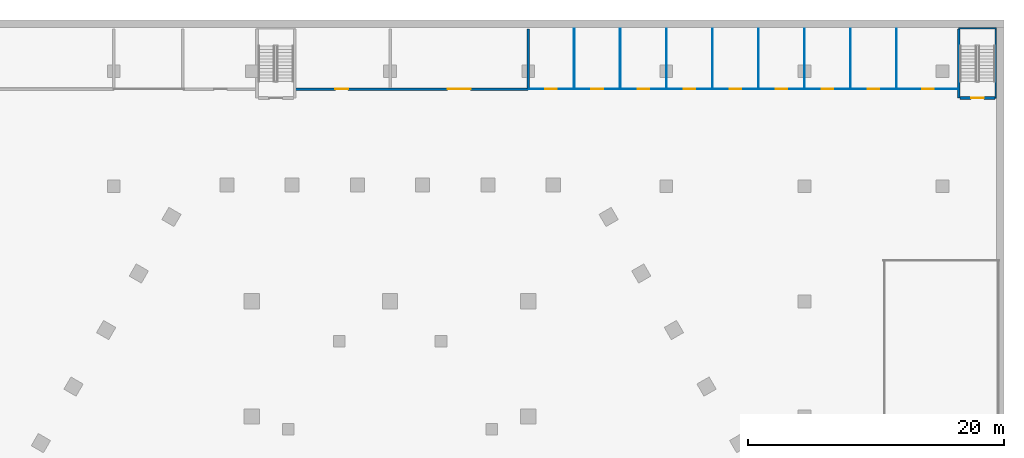
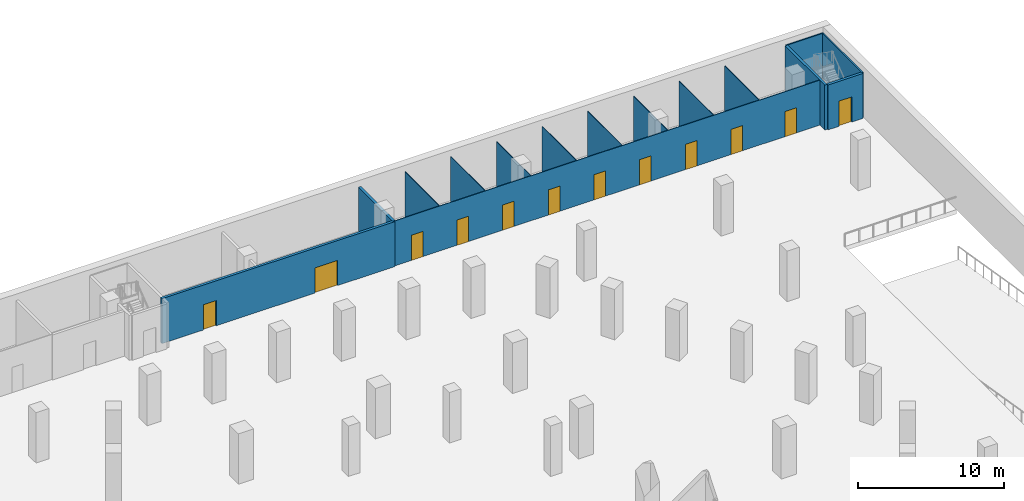
# One storey, part 10 of 20: 15 walls, 12 doors, 12 openings.
"""IFC4 building model written with IfcOpenShell, lengths in metres."""

import ifcopenshell
import ifcopenshell.guid

model = None  # the IFC model being written
_history = None  # IfcOwnerHistory: only IFC2X3 demands one
_inside = {}  # id of a spatial element -> (the spatial element, [elements in it])
_under = {}  # id of a project, library or spatial element -> (it, [spatial elements below it])
_declared = {}  # id of a project -> (the project, [libraries it declares])
_typed = {}  # id of a type object -> (the type object, [elements of that type])
_made_of = {}  # id of a material, layer set ... -> (it, [elements and type objects made of it])


def new_model(schema):
    """Start an empty IFC model of exactly this schema.

    Asked for "IFC4X3", IfcOpenShell would pick the latest addendum, in which some entities
    have other attributes; the version numbers below select the first issue.
    IFC2X3 requires an IfcOwnerHistory on every rooted entity: one is made here for all.
    """
    global model, _history
    if schema == "IFC4X3":
        model = ifcopenshell.file(schema_version=(4, 3, 0, 0))
    else:
        model = ifcopenshell.file(schema=schema)
    _inside.clear()
    _under.clear()
    _declared.clear()
    _typed.clear()
    _made_of.clear()
    _history = None
    if model.schema == "IFC2X3":
        org = make("IfcOrganization", Name="unknown")
        user = make(
            "IfcPersonAndOrganization",
            ThePerson=make("IfcPerson", FamilyName="unknown"),
            TheOrganization=org,
        )
        app = make(
            "IfcApplication",
            ApplicationDeveloper=org,
            Version="unknown",
            ApplicationFullName="unknown",
            ApplicationIdentifier="unknown",
        )
        _history = make(
            "IfcOwnerHistory",
            OwningUser=user,
            OwningApplication=app,
            ChangeAction="ADDED",
            CreationDate=0,
        )
    return model


def make(cls, **values):
    """One entity of the class cls with the attributes given. An attribute that is None is left unset."""
    return model.create_entity(
        cls, **{name: value for name, value in values.items() if value is not None}
    )


def rooted(cls, **values):
    """An entity with a GlobalId (a new one), such as an element, a storey or a relation."""
    return make(cls, GlobalId=ifcopenshell.guid.new(), OwnerHistory=_history, **values)


def si_unit(unit_type, name, prefix=None):
    """IfcSIUnit, for example si_unit("LENGTHUNIT", "METRE", prefix="MILLI")."""
    return make("IfcSIUnit", UnitType=unit_type, Prefix=prefix, Name=name)


def assignment(units):
    """IfcUnitAssignment: the units of a project."""
    return None if units is None else make("IfcUnitAssignment", Units=units)


def point(xyz):
    """IfcCartesianPoint."""
    return None if xyz is None else make("IfcCartesianPoint", Coordinates=xyz)


def direction(xyz):
    """IfcDirection."""
    return None if xyz is None else make("IfcDirection", DirectionRatios=xyz)


def frame(location, z_axis=None, x_axis=None):
    """IfcAxis2Placement3D, a coordinate frame: its origin and axes. An axis left out is left unset."""
    return make(
        "IfcAxis2Placement3D",
        Location=point(location),
        Axis=direction(z_axis),
        RefDirection=direction(x_axis),
    )


def frame_2d(location, x_axis=None):
    """IfcAxis2Placement2D, a coordinate frame in the plane: its origin and x axis."""
    return make(
        "IfcAxis2Placement2D", Location=point(location), RefDirection=direction(x_axis)
    )


def origin():
    """The frame at (0, 0, 0) with its axes left unset."""
    return frame((0.0, 0.0, 0.0))


def place(relative_to, where):
    """IfcLocalPlacement: puts the frame where relative to a parent placement (None: the world)."""
    return make(
        "IfcLocalPlacement", PlacementRelTo=relative_to, RelativePlacement=where
    )


def context(
    kind, dimensions, precision=None, world=None, true_north=None, identifier=None
):
    """IfcGeometricRepresentationContext, for example the 3D "Model" context."""
    return make(
        "IfcGeometricRepresentationContext",
        ContextIdentifier=identifier,
        ContextType=kind,
        CoordinateSpaceDimension=dimensions,
        Precision=precision,
        WorldCoordinateSystem=world,
        TrueNorth=true_north,
    )


def subcontext(parent, identifier, kind, view, scale=None):
    """IfcGeometricRepresentationSubContext, for example "Body" below "Model"."""
    return make(
        "IfcGeometricRepresentationSubContext",
        ContextIdentifier=identifier,
        ContextType=kind,
        ParentContext=parent,
        TargetScale=scale,
        TargetView=view,
    )


def project(units=None, contexts=None):
    """IfcProject with its units and contexts."""
    return rooted(
        "IfcProject",
        Name="project",
        RepresentationContexts=contexts,
        UnitsInContext=assignment(units),
    )


def spatial(cls, under=None, at=None, **own):
    """A site, building, storey or space (cls), placed at a placement, below another one or the project."""
    s = rooted(cls, ObjectPlacement=at, **own)
    if under is not None:
        _under.setdefault(under.id(), (under, []))[1].append(s)
    return s


def profile(cls, at=None, kind="AREA", **sizes):
    """A parametric profile (cls). Its sizes go by their IFC names, for example OverallWidth=200.0."""
    return make(cls, ProfileType=kind, Position=at, **sizes)


def rectangle(**sizes):
    """IfcRectangleProfileDef."""
    return profile("IfcRectangleProfileDef", **sizes)


def extrude(swept, where, along, depth):
    """IfcExtrudedAreaSolid: the profile swept, set in the frame where, extruded along a direction by depth."""
    return make(
        "IfcExtrudedAreaSolid",
        SweptArea=swept,
        Position=where,
        ExtrudedDirection=direction(along),
        Depth=depth,
    )


def shape(context_of_items, identifier, shape_type, items):
    """IfcShapeRepresentation: the items that make up one representation, for example the "Body"."""
    return make(
        "IfcShapeRepresentation",
        ContextOfItems=context_of_items,
        RepresentationIdentifier=identifier,
        RepresentationType=shape_type,
        Items=items,
    )


def material(Name=None, Category=None):
    """IfcMaterial."""
    return make("IfcMaterial", Name=Name, Category=Category)


def layer(
    of_material, thickness, ventilated=None, Name=None, Category=None, Priority=None
):
    """IfcMaterialLayer: one layer of a wall or slab, of a material (None: an air gap)."""
    return make(
        "IfcMaterialLayer",
        Material=of_material,
        LayerThickness=thickness,
        IsVentilated=ventilated,
        Name=Name,
        Category=Category,
        Priority=Priority,
    )


def layer_set(layers, Name=None):
    """IfcMaterialLayerSet."""
    return make("IfcMaterialLayerSet", MaterialLayers=layers, LayerSetName=Name)


def made_of(thing, what):
    """Note that an element or type object is made of a material, layer set ...; save() writes the relation."""
    if what is not None:
        _made_of.setdefault(what.id(), (what, []))[1].append(thing)
    return thing


def type_object(cls, material=None, **own):
    """A type object (cls), such as IfcWallType, which elements share."""
    return made_of(rooted(cls, **own), material)


def element(
    cls,
    number,
    at=None,
    inside=None,
    cuts=None,
    type_object=None,
    material=None,
    context=None,
    identifier="Body",
    shape_type=None,
    held_by="IfcProductDefinitionShape",
    body=None,
    shapes=None,
    **own,
):
    """One element of the class cls, such as IfcWall. Its Tag is "e" and its number.

    at: its placement. inside: the storey or other place that contains it. cuts: it is an
    opening in that element (IfcRelVoidsElement). A single representation is given by context,
    identifier, shape_type and body (its items); several are given by shapes. held_by: the class
    of the entity that holds the representations. save() writes the other relations.
    """
    e = rooted(cls, Tag="e%d" % number, ObjectPlacement=at, **own)
    if body is not None:
        shapes = [shape(context, identifier, shape_type, body)]
    if shapes is not None:
        e.Representation = make(held_by, Representations=shapes)
    if inside is not None:
        _inside.setdefault(inside.id(), (inside, []))[1].append(e)
    if cuts is not None:
        rooted(
            "IfcRelVoidsElement", RelatingBuildingElement=cuts, RelatedOpeningElement=e
        )
    if type_object is not None:
        _typed.setdefault(type_object.id(), (type_object, []))[1].append(e)
    return made_of(e, material)


def fill(opening, filler):
    """IfcRelFillsElement: the door or window that sits in an opening."""
    return rooted(
        "IfcRelFillsElement",
        RelatingOpeningElement=opening,
        RelatedBuildingElement=filler,
    )


def aggregate(whole, parts):
    """IfcRelAggregates: a whole, such as a stair, and the parts it consists of."""
    return rooted("IfcRelAggregates", RelatingObject=whole, RelatedObjects=parts)


def save(model, path):
    """Write the relations noted so far, then the file.

    IfcRelAggregates (storeys below a building ...), IfcRelContainedInSpatialStructure (elements
    in a storey), IfcRelDefinesByType, IfcRelAssociatesMaterial and IfcRelDeclares: one each for
    every whole, place, type object, material and project.
    """
    for whole, parts in _under.values():
        aggregate(whole, parts)
    for where, things in _inside.values():
        rooted(
            "IfcRelContainedInSpatialStructure",
            RelatedElements=things,
            RelatingStructure=where,
        )
    for kind, things in _typed.values():
        rooted("IfcRelDefinesByType", RelatedObjects=things, RelatingType=kind)
    for what, things in _made_of.values():
        rooted("IfcRelAssociatesMaterial", RelatedObjects=things, RelatingMaterial=what)
    for by, libraries in _declared.values():
        rooted("IfcRelDeclares", RelatingContext=by, RelatedDefinitions=libraries)
    model.write(path)


model = new_model("IFC4")

# Units and contexts
model_context = context("Model", 3, precision=1e-05, world=origin(), true_north=direction((0.0, 1.0)))
body_context = subcontext(model_context, "Body", "Model", "MODEL_VIEW")
ifc_project = project(units=[si_unit("LENGTHUNIT", "METRE"), si_unit("AREAUNIT", "SQUARE_METRE"), si_unit("VOLUMEUNIT", "CUBIC_METRE"), si_unit("PLANEANGLEUNIT", "RADIAN"), si_unit("MASSUNIT", "GRAM", prefix="KILO")], contexts=[model_context])

# Site, building, storey
site_placement = place(None, origin())
site = spatial("IfcSite", under=ifc_project, at=site_placement, CompositionType="ELEMENT")
building_placement = place(site_placement, origin())
building = spatial("IfcBuilding", under=site, at=building_placement, Name="Beryl Residences", CompositionType="ELEMENT")
storey_placement = place(building_placement, frame((0.0, 0.0, -4.199951171875)))
storey = spatial("IfcBuildingStorey", under=building, at=storey_placement, Name="B1", CompositionType="ELEMENT", Elevation=-4.199951171875)

# Wall, openings, doors
ifc_material_1 = material(Name="Gypsum board partition on steel studs", Category="steel")
ifc_layer_1 = layer(ifc_material_1, 0.050048828125)
ifc_layer_set_1 = layer_set([ifc_layer_1], Name="PT1-50 partition 50 mm")
wall_type_1 = type_object("IfcWallType", Name="PT1-50 partition 50 mm", PredefinedType="PARTITIONING", material=ifc_layer_set_1)
wall_1_placement = place(storey_placement, frame((10.800048828125, 34.60009765625, 0.0), z_axis=(0.0, 0.0, 1.0), x_axis=(1.0, 0.0, 0.0)))
wall_1 = element("IfcWall", 1, at=wall_1_placement, inside=storey, type_object=wall_type_1, Name="Wall PT1-50 B1 002", PredefinedType="PARTITIONING", context=body_context, shape_type="SweptSolid", body=[
    extrude(rectangle(XDim=33.64990234375, YDim=0.050048828125, at=frame_2d((16.824951171875, 0.0))), origin(), (0.0, 0.0, 1.0), 3.75),
])
opening_1_placement = place(wall_1_placement, frame((2.25, 0.0, 0.0), z_axis=(0.0, 0.0, 1.0), x_axis=(-1.0, 0.0, 0.0)))
opening_1 = element("IfcOpeningElement", 2, at=opening_1_placement, cuts=wall_1, Name="Opening B1-13", PredefinedType="OPENING", context=body_context, shape_type="SweptSolid", body=[
    extrude(rectangle(XDim=0.89990234375, YDim=2.10009765625, at=frame_2d((0.449951171875, 1.050048828125))), frame((0.0, 0.034912109375, 0.0), z_axis=(0.0, -1.0, 0.0), x_axis=(1.0, 0.0, 0.0)), (0.0, 0.0, 1.0), 0.070068359375),
])
opening_2_placement = place(wall_1_placement, frame((5.849853515625, 0.0, 0.0), z_axis=(0.0, 0.0, 1.0), x_axis=(-1.0, 0.0, 0.0)))
opening_2 = element("IfcOpeningElement", 3, at=opening_2_placement, cuts=wall_1, Name="Opening B1-14", PredefinedType="OPENING", context=body_context, shape_type="SweptSolid", body=[
    extrude(rectangle(XDim=0.89990234375, YDim=2.10009765625, at=frame_2d((0.449951171875, 1.050048828125))), frame((0.0, 0.034912109375, 0.0), z_axis=(0.0, -1.0, 0.0), x_axis=(1.0, 0.0, 0.0)), (0.0, 0.0, 1.0), 0.070068359375),
])
opening_3_placement = place(wall_1_placement, frame((9.449951171875, 0.0, 0.0), z_axis=(0.0, 0.0, 1.0), x_axis=(-1.0, 0.0, 0.0)))
opening_3 = element("IfcOpeningElement", 4, at=opening_3_placement, cuts=wall_1, Name="Opening B1-15", PredefinedType="OPENING", context=body_context, shape_type="SweptSolid", body=[
    extrude(rectangle(XDim=0.89990234375, YDim=2.10009765625, at=frame_2d((0.449951171875, 1.050048828125))), frame((0.0, 0.034912109375, 0.0), z_axis=(0.0, -1.0, 0.0), x_axis=(1.0, 0.0, 0.0)), (0.0, 0.0, 1.0), 0.070068359375),
])
opening_4_placement = place(wall_1_placement, frame((13.0498046875, 0.0, 0.0), z_axis=(0.0, 0.0, 1.0), x_axis=(-1.0, 0.0, 0.0)))
opening_4 = element("IfcOpeningElement", 5, at=opening_4_placement, cuts=wall_1, Name="Opening B1-16", PredefinedType="OPENING", context=body_context, shape_type="SweptSolid", body=[
    extrude(rectangle(XDim=0.89990234375, YDim=2.10009765625, at=frame_2d((0.449951171875, 1.050048828125))), frame((0.0, 0.034912109375, 0.0), z_axis=(0.0, -1.0, 0.0), x_axis=(1.0, 0.0, 0.0)), (0.0, 0.0, 1.0), 0.070068359375),
])
opening_5_placement = place(wall_1_placement, frame((16.64990234375, 0.0, 0.0), z_axis=(0.0, 0.0, 1.0), x_axis=(-1.0, 0.0, 0.0)))
opening_5 = element("IfcOpeningElement", 6, at=opening_5_placement, cuts=wall_1, Name="Opening B1-17", PredefinedType="OPENING", context=body_context, shape_type="SweptSolid", body=[
    extrude(rectangle(XDim=0.89990234375, YDim=2.10009765625, at=frame_2d((0.449951171875, 1.050048828125))), frame((0.0, 0.034912109375, 0.0), z_axis=(0.0, -1.0, 0.0), x_axis=(1.0, 0.0, 0.0)), (0.0, 0.0, 1.0), 0.070068359375),
])
opening_6_placement = place(wall_1_placement, frame((20.25, 0.0, 0.0), z_axis=(0.0, 0.0, 1.0), x_axis=(-1.0, 0.0, 0.0)))
opening_6 = element("IfcOpeningElement", 7, at=opening_6_placement, cuts=wall_1, Name="Opening B1-18", PredefinedType="OPENING", context=body_context, shape_type="SweptSolid", body=[
    extrude(rectangle(XDim=0.89990234375, YDim=2.10009765625, at=frame_2d((0.449951171875, 1.050048828125))), frame((0.0, 0.034912109375, 0.0), z_axis=(0.0, -1.0, 0.0), x_axis=(1.0, 0.0, 0.0)), (0.0, 0.0, 1.0), 0.070068359375),
])
opening_7_placement = place(wall_1_placement, frame((23.849853515625, 0.0, 0.0), z_axis=(0.0, 0.0, 1.0), x_axis=(-1.0, 0.0, 0.0)))
opening_7 = element("IfcOpeningElement", 8, at=opening_7_placement, cuts=wall_1, Name="Opening B1-19", PredefinedType="OPENING", context=body_context, shape_type="SweptSolid", body=[
    extrude(rectangle(XDim=0.89990234375, YDim=2.10009765625, at=frame_2d((0.449951171875, 1.050048828125))), frame((0.0, 0.034912109375, 0.0), z_axis=(0.0, -1.0, 0.0), x_axis=(1.0, 0.0, 0.0)), (0.0, 0.0, 1.0), 0.070068359375),
])
opening_8_placement = place(wall_1_placement, frame((27.449951171875, 0.0, 0.0), z_axis=(0.0, 0.0, 1.0), x_axis=(-1.0, 0.0, 0.0)))
opening_8 = element("IfcOpeningElement", 9, at=opening_8_placement, cuts=wall_1, Name="Opening B1-20", PredefinedType="OPENING", context=body_context, shape_type="SweptSolid", body=[
    extrude(rectangle(XDim=0.89990234375, YDim=2.10009765625, at=frame_2d((0.449951171875, 1.050048828125))), frame((0.0, 0.034912109375, 0.0), z_axis=(0.0, -1.0, 0.0), x_axis=(1.0, 0.0, 0.0)), (0.0, 0.0, 1.0), 0.070068359375),
])
opening_9_placement = place(wall_1_placement, frame((31.724853515625, 0.0, 0.0), z_axis=(0.0, 0.0, 1.0), x_axis=(-1.0, 0.0, 0.0)))
opening_9 = element("IfcOpeningElement", 10, at=opening_9_placement, cuts=wall_1, Name="Opening B1-21", PredefinedType="OPENING", context=body_context, shape_type="SweptSolid", body=[
    extrude(rectangle(XDim=0.89990234375, YDim=2.10009765625, at=frame_2d((0.449951171875, 1.050048828125))), frame((0.0, 0.034912109375, 0.0), z_axis=(0.0, -1.0, 0.0), x_axis=(1.0, 0.0, 0.0)), (0.0, 0.0, 1.0), 0.070068359375),
])
ifc_material_2 = material(Name="Timber door leaf", Category="wood")
door_type_1 = type_object("IfcDoorType", Name="D2 room door 900 x 2100 mm", OperationType="SINGLE_SWING_LEFT", PredefinedType="DOOR", material=ifc_material_2)
door_1_placement = place(opening_1_placement, origin())
door_1 = element("IfcDoor", 11, at=door_1_placement, inside=storey, type_object=door_type_1, Name="Door B1-13 B1 001", OperationType="SINGLE_SWING_RIGHT", OverallHeight=2.10009765625, OverallWidth=0.89990234375, PredefinedType="DOOR", context=body_context, shape_type="SweptSolid", body=[
    extrude(rectangle(XDim=0.89990234375, YDim=2.10009765625, at=frame_2d((0.449951171875, 1.050048828125))), frame((0.0, 0.02490234375, 0.0), z_axis=(0.0, -1.0, 0.0), x_axis=(1.0, 0.0, 0.0)), (0.0, 0.0, 1.0), 0.049560546875),
])
fill(opening_1, door_1)
door_2_placement = place(opening_2_placement, origin())
door_2 = element("IfcDoor", 12, at=door_2_placement, inside=storey, type_object=door_type_1, Name="Door B1-14 B1 001", OperationType="SINGLE_SWING_LEFT", OverallHeight=2.10009765625, OverallWidth=0.89990234375, PredefinedType="DOOR", context=body_context, shape_type="SweptSolid", body=[
    extrude(rectangle(XDim=0.89990234375, YDim=2.10009765625, at=frame_2d((0.449951171875, 1.050048828125))), frame((0.0, 0.02490234375, 0.0), z_axis=(0.0, -1.0, 0.0), x_axis=(1.0, 0.0, 0.0)), (0.0, 0.0, 1.0), 0.049560546875),
])
fill(opening_2, door_2)
door_3_placement = place(opening_3_placement, origin())
door_3 = element("IfcDoor", 13, at=door_3_placement, inside=storey, type_object=door_type_1, Name="Door B1-15 B1 001", OperationType="SINGLE_SWING_RIGHT", OverallHeight=2.10009765625, OverallWidth=0.89990234375, PredefinedType="DOOR", context=body_context, shape_type="SweptSolid", body=[
    extrude(rectangle(XDim=0.89990234375, YDim=2.10009765625, at=frame_2d((0.449951171875, 1.050048828125))), frame((0.0, 0.02490234375, 0.0), z_axis=(0.0, -1.0, 0.0), x_axis=(1.0, 0.0, 0.0)), (0.0, 0.0, 1.0), 0.049560546875),
])
fill(opening_3, door_3)
door_4_placement = place(opening_4_placement, origin())
door_4 = element("IfcDoor", 14, at=door_4_placement, inside=storey, type_object=door_type_1, Name="Door B1-16 B1 001", OperationType="SINGLE_SWING_LEFT", OverallHeight=2.10009765625, OverallWidth=0.89990234375, PredefinedType="DOOR", context=body_context, shape_type="SweptSolid", body=[
    extrude(rectangle(XDim=0.89990234375, YDim=2.10009765625, at=frame_2d((0.449951171875, 1.050048828125))), frame((0.0, 0.02490234375, 0.0), z_axis=(0.0, -1.0, 0.0), x_axis=(1.0, 0.0, 0.0)), (0.0, 0.0, 1.0), 0.049560546875),
])
fill(opening_4, door_4)
door_5_placement = place(opening_5_placement, origin())
door_5 = element("IfcDoor", 15, at=door_5_placement, inside=storey, type_object=door_type_1, Name="Door B1-17 B1 001", OperationType="SINGLE_SWING_RIGHT", OverallHeight=2.10009765625, OverallWidth=0.89990234375, PredefinedType="DOOR", context=body_context, shape_type="SweptSolid", body=[
    extrude(rectangle(XDim=0.89990234375, YDim=2.10009765625, at=frame_2d((0.449951171875, 1.050048828125))), frame((0.0, 0.02490234375, 0.0), z_axis=(0.0, -1.0, 0.0), x_axis=(1.0, 0.0, 0.0)), (0.0, 0.0, 1.0), 0.049560546875),
])
fill(opening_5, door_5)
door_6_placement = place(opening_6_placement, origin())
door_6 = element("IfcDoor", 16, at=door_6_placement, inside=storey, type_object=door_type_1, Name="Door B1-18 B1 001", OperationType="SINGLE_SWING_LEFT", OverallHeight=2.10009765625, OverallWidth=0.89990234375, PredefinedType="DOOR", context=body_context, shape_type="SweptSolid", body=[
    extrude(rectangle(XDim=0.89990234375, YDim=2.10009765625, at=frame_2d((0.449951171875, 1.050048828125))), frame((0.0, 0.02490234375, 0.0), z_axis=(0.0, -1.0, 0.0), x_axis=(1.0, 0.0, 0.0)), (0.0, 0.0, 1.0), 0.049560546875),
])
fill(opening_6, door_6)
door_7_placement = place(opening_7_placement, origin())
door_7 = element("IfcDoor", 17, at=door_7_placement, inside=storey, type_object=door_type_1, Name="Door B1-19 B1 001", OperationType="SINGLE_SWING_RIGHT", OverallHeight=2.10009765625, OverallWidth=0.89990234375, PredefinedType="DOOR", context=body_context, shape_type="SweptSolid", body=[
    extrude(rectangle(XDim=0.89990234375, YDim=2.10009765625, at=frame_2d((0.449951171875, 1.050048828125))), frame((0.0, 0.02490234375, 0.0), z_axis=(0.0, -1.0, 0.0), x_axis=(1.0, 0.0, 0.0)), (0.0, 0.0, 1.0), 0.049560546875),
])
fill(opening_7, door_7)
door_8_placement = place(opening_8_placement, origin())
door_8 = element("IfcDoor", 18, at=door_8_placement, inside=storey, type_object=door_type_1, Name="Door B1-20 B1 001", OperationType="SINGLE_SWING_LEFT", OverallHeight=2.10009765625, OverallWidth=0.89990234375, PredefinedType="DOOR", context=body_context, shape_type="SweptSolid", body=[
    extrude(rectangle(XDim=0.89990234375, YDim=2.10009765625, at=frame_2d((0.449951171875, 1.050048828125))), frame((0.0, 0.02490234375, 0.0), z_axis=(0.0, -1.0, 0.0), x_axis=(1.0, 0.0, 0.0)), (0.0, 0.0, 1.0), 0.049560546875),
])
fill(opening_8, door_8)
door_9_placement = place(opening_9_placement, origin())
door_9 = element("IfcDoor", 19, at=door_9_placement, inside=storey, type_object=door_type_1, Name="Door B1-21 B1 001", OperationType="SINGLE_SWING_RIGHT", OverallHeight=2.10009765625, OverallWidth=0.89990234375, PredefinedType="DOOR", context=body_context, shape_type="SweptSolid", body=[
    extrude(rectangle(XDim=0.89990234375, YDim=2.10009765625, at=frame_2d((0.449951171875, 1.050048828125))), frame((0.0, 0.02490234375, 0.0), z_axis=(0.0, -1.0, 0.0), x_axis=(1.0, 0.0, 0.0)), (0.0, 0.0, 1.0), 0.049560546875),
])
fill(opening_9, door_9)

# Walls
for number, where, z_axis, x_axis, name in (
    (20, (14.39990234375, 34.625, 0.0), (0.0, 0.0, 1.0), (0.0, 1.0, 0.0), "Wall PT1-50 B1 003"),
    (21, (18.0, 34.625, 0.0), (0.0, 0.0, 1.0), (0.0, 1.0, 0.0), "Wall PT1-50 B1 004"),
    (22, (21.60009765625, 34.625, 0.0), (0.0, 0.0, 1.0), (0.0, 1.0, 0.0), "Wall PT1-50 B1 005"),
    (23, (25.199951171875, 34.625, 0.0), (0.0, 0.0, 1.0), (0.0, 1.0, 0.0), "Wall PT1-50 B1 006"),
    (24, (28.800048828125, 34.625, 0.0), (0.0, 0.0, 1.0), (0.0, 1.0, 0.0), "Wall PT1-50 B1 007"),
    (25, (32.39990234375, 34.625, 0.0), (0.0, 0.0, 1.0), (0.0, 1.0, 0.0), "Wall PT1-50 B1 008"),
    (26, (36.0, 34.625, 0.0), (0.0, 0.0, 1.0), (0.0, 1.0, 0.0), "Wall PT1-50 B1 009"),
    (27, (39.60009765625, 34.625, 0.0), (0.0, 0.0, 1.0), (0.0, 1.0, 0.0), "Wall PT1-50 B1 010"),
):
    element("IfcWall", number, at=place(storey_placement, frame(where, z_axis=z_axis, x_axis=x_axis)), inside=storey, type_object=wall_type_1, Name=name, PredefinedType="PARTITIONING", context=body_context, shape_type="SweptSolid", body=[
        extrude(rectangle(XDim=4.675048828125, YDim=0.050048828125, at=frame_2d((2.33740234375, 0.0))), origin(), (0.0, 0.0, 1.0), 3.75),
    ])

# Wall, opening, door
ifc_material_3 = material(Name="Concrete C40/50", Category="concrete")
ifc_layer_2 = layer(ifc_material_3, 0.199951171875)
ifc_layer_set_2 = layer_set([ifc_layer_2], Name="PT5 stair enclosure wall 200 mm reinforced concrete C40/50")
wall_type_2 = type_object("IfcWallType", Name="PT5 stair enclosure wall 200 mm reinforced concrete C40/50", PredefinedType="SOLIDWALL", material=ifc_layer_set_2)
wall_2_placement = place(storey_placement, frame((44.550048828125, 33.89990234375, 0.0), z_axis=(0.0, 0.0, 1.0), x_axis=(1.0, 0.0, 0.0)))
wall_2 = element("IfcWall", 28, at=wall_2_placement, inside=storey, type_object=wall_type_2, Name="Wall PT5 B1 006", PredefinedType="SOLIDWALL", context=body_context, shape_type="SweptSolid", body=[
    extrude(rectangle(XDim=2.75, YDim=0.199951171875, at=frame_2d((1.375, 0.0))), origin(), (0.0, 0.0, 1.0), 3.75),
])
opening_10_placement = place(wall_2_placement, frame((0.875, 0.0, 0.0)))
opening_10 = element("IfcOpeningElement", 29, at=opening_10_placement, cuts=wall_2, Name="Opening B1-03", PredefinedType="OPENING", context=body_context, shape_type="SweptSolid", body=[
    extrude(rectangle(XDim=1.0, YDim=2.10009765625, at=frame_2d((0.5, 1.050048828125))), frame((0.0, 0.10986328125, 0.0), z_axis=(0.0, -1.0, 0.0), x_axis=(1.0, 0.0, 0.0)), (0.0, 0.0, 1.0), 0.219970703125),
])
ifc_material_4 = material(Name="Steel door leaf in steel frame", Category="steel")
door_type_2 = type_object("IfcDoorType", Name="D15 stair door 1000 x 2100 mm", OperationType="SINGLE_SWING_LEFT", PredefinedType="DOOR", material=ifc_material_4)
door_10_placement = place(opening_10_placement, origin())
door_10 = element("IfcDoor", 30, at=door_10_placement, inside=storey, type_object=door_type_2, Name="Door B1-03 B1 001", OperationType="SINGLE_SWING_LEFT", OverallHeight=2.10009765625, OverallWidth=1.0, PredefinedType="DOOR", context=body_context, shape_type="SweptSolid", body=[
    extrude(rectangle(XDim=1.0, YDim=2.10009765625, at=frame_2d((0.5, 1.050048828125))), frame((0.0, 0.02490234375, 0.0), z_axis=(0.0, -1.0, 0.0), x_axis=(1.0, 0.0, 0.0)), (0.0, 0.0, 1.0), 0.050048828125),
])
fill(opening_10, door_10)

# Walls
wall_3_placement = place(storey_placement, frame((44.449951171875, 33.89990234375, 0.0), z_axis=(0.0, 0.0, 1.0), x_axis=(0.0, 1.0, 0.0)))
element("IfcWall", 31, at=wall_3_placement, inside=storey, type_object=wall_type_2, Name="Wall PT5 B1 015", PredefinedType="SOLIDWALL", context=body_context, shape_type="SweptSolid", body=[
    extrude(rectangle(XDim=5.400146484375, YDim=0.199951171875, at=frame_2d((2.7001953125, 0.0))), origin(), (0.0, 0.0, 1.0), 3.75),
])
ifc_material_5 = material(Name="Concrete C40/50", Category="concrete")
ifc_layer_3 = layer(ifc_material_5, 0.10009765625)
ifc_layer_set_3 = layer_set([ifc_layer_3], Name="PT5-100 stair enclosure wall 100 mm")
wall_type_3 = type_object("IfcWallType", Name="PT5-100 stair enclosure wall 100 mm", PredefinedType="SOLIDWALL", material=ifc_layer_set_3)
wall_4_placement = place(storey_placement, frame((47.35009765625, 33.89990234375, 0.0), z_axis=(0.0, 0.0, 1.0), x_axis=(0.0, 1.0, 0.0)))
element("IfcWall", 32, at=wall_4_placement, inside=storey, type_object=wall_type_3, Name="Wall PT5-100 B1 004", PredefinedType="SOLIDWALL", context=body_context, shape_type="SweptSolid", body=[
    extrude(rectangle(XDim=5.5, YDim=0.10009765625, at=frame_2d((2.75, 0.0))), origin(), (0.0, 0.0, 1.0), 3.75),
])
wall_5_placement = place(storey_placement, frame((44.449951171875, 39.35009765625, 0.0), z_axis=(0.0, 0.0, 1.0), x_axis=(1.0, 0.0, 0.0)))
element("IfcWall", 33, at=wall_5_placement, inside=storey, type_object=wall_type_3, Name="Wall PT5-100 B1 005", PredefinedType="SOLIDWALL", context=body_context, shape_type="SweptSolid", body=[
    extrude(rectangle(XDim=2.949951171875, YDim=0.10009765625, at=frame_2d((1.47509765625, 0.0))), origin(), (0.0, 0.0, 1.0), 3.75),
])
ifc_material_6 = material(Name="Concrete masonry", Category="masonry")
ifc_layer_4 = layer(ifc_material_6, 0.199951171875)
ifc_layer_set_4 = layer_set([ifc_layer_4], Name="PT8-200 service room wall 200 mm")
wall_type_4 = type_object("IfcWallType", Name="PT8-200 service room wall 200 mm", PredefinedType="PARTITIONING", material=ifc_layer_set_4)
wall_6_placement = place(storey_placement, frame((10.800048828125, 34.625, 0.0), z_axis=(0.0, 0.0, 1.0), x_axis=(0.0, 1.0, 0.0)))
element("IfcWall", 34, at=wall_6_placement, inside=storey, type_object=wall_type_4, Name="Wall PT8-200 B1 003", PredefinedType="PARTITIONING", context=body_context, shape_type="SweptSolid", body=[
    extrude(rectangle(XDim=4.675048828125, YDim=0.199951171875, at=frame_2d((2.33740234375, 0.0))), origin(), (0.0, 0.0, 1.0), 3.75),
])

# Wall, openings, doors
ifc_material_7 = material(Name="Concrete C40/50", Category="concrete")
ifc_layer_5 = layer(ifc_material_7, 0.199951171875)
ifc_layer_set_5 = layer_set([ifc_layer_5], Name="PT9-200 plant room wall 200 mm")
wall_type_5 = type_object("IfcWallType", Name="PT9-200 plant room wall 200 mm", PredefinedType="SOLIDWALL", material=ifc_layer_set_5)
wall_7_placement = place(storey_placement, frame((-7.550048828125, 34.60009765625, 0.0), z_axis=(0.0, 0.0, 1.0), x_axis=(1.0, 0.0, 0.0)))
wall_7 = element("IfcWall", 35, at=wall_7_placement, inside=storey, type_object=wall_type_5, Name="Wall PT9-200 B1 002", PredefinedType="SOLIDWALL", context=body_context, shape_type="SweptSolid", body=[
    extrude(rectangle(XDim=18.35009765625, YDim=0.199951171875, at=frame_2d((9.175048828125, 0.0))), origin(), (0.0, 0.0, 1.0), 3.75),
])
opening_11_placement = place(wall_7_placement, frame((4.27490234375, 0.0, 0.0), z_axis=(0.0, 0.0, 1.0), x_axis=(-1.0, 0.0, 0.0)))
opening_11 = element("IfcOpeningElement", 36, at=opening_11_placement, cuts=wall_7, Name="Opening B1-11", PredefinedType="OPENING", context=body_context, shape_type="SweptSolid", body=[
    extrude(rectangle(XDim=1.0, YDim=2.10009765625, at=frame_2d((0.5, 1.050048828125))), frame((0.0, 0.10986328125, 0.0), z_axis=(0.0, -1.0, 0.0), x_axis=(1.0, 0.0, 0.0)), (0.0, 0.0, 1.0), 0.219970703125),
])
opening_12_placement = place(wall_7_placement, frame((13.85009765625, 0.0, 0.0), z_axis=(0.0, 0.0, 1.0), x_axis=(-1.0, 0.0, 0.0)))
opening_12 = element("IfcOpeningElement", 37, at=opening_12_placement, cuts=wall_7, Name="Opening B1-12", PredefinedType="OPENING", context=body_context, shape_type="SweptSolid", body=[
    extrude(rectangle(XDim=1.800048828125, YDim=2.10009765625, at=frame_2d((0.89990234375, 1.050048828125))), frame((0.0, 0.10986328125, 0.0), z_axis=(0.0, -1.0, 0.0), x_axis=(1.0, 0.0, 0.0)), (0.0, 0.0, 1.0), 0.219970703125),
])
ifc_material_8 = material(Name="Steel door leaf in steel frame", Category="steel")
door_type_3 = type_object("IfcDoorType", Name="D16 plant room door 1000 x 2100 mm", OperationType="SINGLE_SWING_LEFT", PredefinedType="DOOR", material=ifc_material_8)
door_11_placement = place(opening_11_placement, origin())
door_11 = element("IfcDoor", 38, at=door_11_placement, inside=storey, type_object=door_type_3, Name="Door B1-11 B1 001", OperationType="SINGLE_SWING_RIGHT", OverallHeight=2.10009765625, OverallWidth=1.0, PredefinedType="DOOR", context=body_context, shape_type="SweptSolid", body=[
    extrude(rectangle(XDim=1.0, YDim=2.10009765625, at=frame_2d((0.5, 1.050048828125))), frame((0.0, 0.02490234375, 0.0), z_axis=(0.0, -1.0, 0.0), x_axis=(1.0, 0.0, 0.0)), (0.0, 0.0, 1.0), 0.050048828125),
])
fill(opening_11, door_11)
ifc_material_9 = material(Name="Steel door leaf in steel frame", Category="steel")
door_type_4 = type_object("IfcDoorType", Name="D17 service room door 1800 x 2100 mm", OperationType="DOUBLE_DOOR_SINGLE_SWING", PredefinedType="DOOR", material=ifc_material_9)
door_12_placement = place(opening_12_placement, origin())
door_12 = element("IfcDoor", 39, at=door_12_placement, inside=storey, type_object=door_type_4, Name="Door B1-12 B1 001", OperationType="DOUBLE_DOOR_SINGLE_SWING", OverallHeight=2.10009765625, OverallWidth=1.800048828125, PredefinedType="DOOR", context=body_context, shape_type="SweptSolid", body=[
    extrude(rectangle(XDim=1.800048828125, YDim=2.10009765625, at=frame_2d((0.89990234375, 1.050048828125))), frame((0.0, 0.02490234375, 0.0), z_axis=(0.0, -1.0, 0.0), x_axis=(1.0, 0.0, 0.0)), (0.0, 0.0, 1.0), 0.050048828125),
])
fill(opening_12, door_12)

save(model, "model.ifc")
